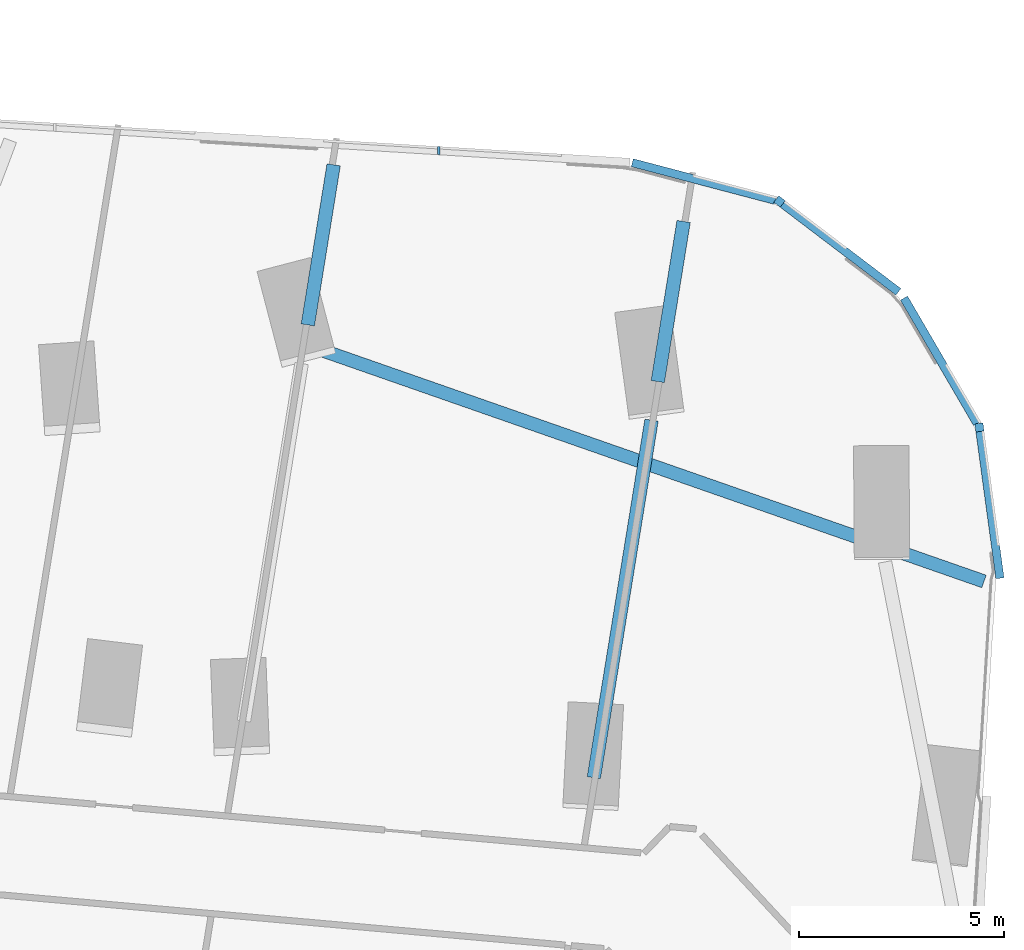
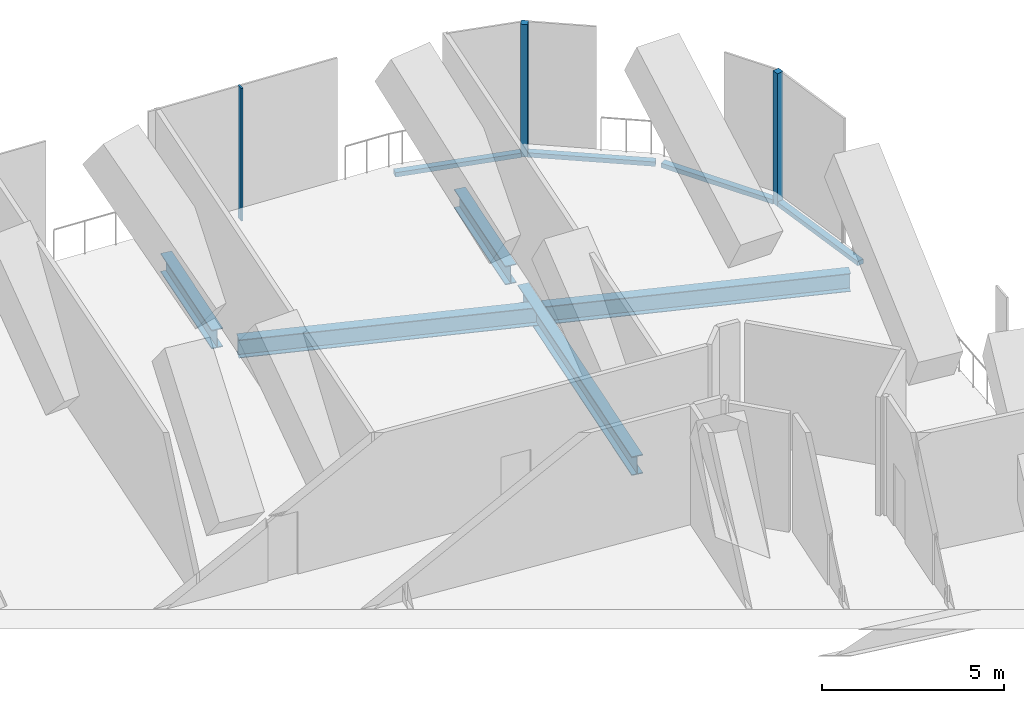
# One storey, part 17 of 39: 7 members, 4 beams, 5 elements without a shape of their own.
"""IFC4 building model written with IfcOpenShell, lengths in metres."""

import ifcopenshell
import ifcopenshell.guid

model = None  # the IFC model being written
_history = None  # IfcOwnerHistory: only IFC2X3 demands one
_inside = {}  # id of a spatial element -> (the spatial element, [elements in it])
_under = {}  # id of a project, library or spatial element -> (it, [spatial elements below it])
_declared = {}  # id of a project -> (the project, [libraries it declares])
_typed = {}  # id of a type object -> (the type object, [elements of that type])
_made_of = {}  # id of a material, layer set ... -> (it, [elements and type objects made of it])


def new_model(schema):
    """Start an empty IFC model of exactly this schema.

    Asked for "IFC4X3", IfcOpenShell would pick the latest addendum, in which some entities
    have other attributes; the version numbers below select the first issue.
    IFC2X3 requires an IfcOwnerHistory on every rooted entity: one is made here for all.
    """
    global model, _history
    if schema == "IFC4X3":
        model = ifcopenshell.file(schema_version=(4, 3, 0, 0))
    else:
        model = ifcopenshell.file(schema=schema)
    _inside.clear()
    _under.clear()
    _declared.clear()
    _typed.clear()
    _made_of.clear()
    _history = None
    if model.schema == "IFC2X3":
        org = make("IfcOrganization", Name="unknown")
        user = make(
            "IfcPersonAndOrganization",
            ThePerson=make("IfcPerson", FamilyName="unknown"),
            TheOrganization=org,
        )
        app = make(
            "IfcApplication",
            ApplicationDeveloper=org,
            Version="unknown",
            ApplicationFullName="unknown",
            ApplicationIdentifier="unknown",
        )
        _history = make(
            "IfcOwnerHistory",
            OwningUser=user,
            OwningApplication=app,
            ChangeAction="ADDED",
            CreationDate=0,
        )
    return model


def make(cls, **values):
    """One entity of the class cls with the attributes given. An attribute that is None is left unset."""
    return model.create_entity(
        cls, **{name: value for name, value in values.items() if value is not None}
    )


def rooted(cls, **values):
    """An entity with a GlobalId (a new one), such as an element, a storey or a relation."""
    return make(cls, GlobalId=ifcopenshell.guid.new(), OwnerHistory=_history, **values)


def si_unit(unit_type, name, prefix=None):
    """IfcSIUnit, for example si_unit("LENGTHUNIT", "METRE", prefix="MILLI")."""
    return make("IfcSIUnit", UnitType=unit_type, Prefix=prefix, Name=name)


def assignment(units):
    """IfcUnitAssignment: the units of a project."""
    return None if units is None else make("IfcUnitAssignment", Units=units)


def point(xyz):
    """IfcCartesianPoint."""
    return None if xyz is None else make("IfcCartesianPoint", Coordinates=xyz)


def direction(xyz):
    """IfcDirection."""
    return None if xyz is None else make("IfcDirection", DirectionRatios=xyz)


def frame(location, z_axis=None, x_axis=None):
    """IfcAxis2Placement3D, a coordinate frame: its origin and axes. An axis left out is left unset."""
    return make(
        "IfcAxis2Placement3D",
        Location=point(location),
        Axis=direction(z_axis),
        RefDirection=direction(x_axis),
    )


def frame_2d(location, x_axis=None):
    """IfcAxis2Placement2D, a coordinate frame in the plane: its origin and x axis."""
    return make(
        "IfcAxis2Placement2D", Location=point(location), RefDirection=direction(x_axis)
    )


def origin():
    """The frame at (0, 0, 0) with its axes left unset."""
    return frame((0.0, 0.0, 0.0))


def origin_2d():
    """The frame at (0, 0) in the plane with its x axis left unset."""
    return frame_2d((0.0, 0.0))


def place(relative_to, where):
    """IfcLocalPlacement: puts the frame where relative to a parent placement (None: the world)."""
    return make(
        "IfcLocalPlacement", PlacementRelTo=relative_to, RelativePlacement=where
    )


def context(
    kind, dimensions, precision=None, world=None, true_north=None, identifier=None
):
    """IfcGeometricRepresentationContext, for example the 3D "Model" context."""
    return make(
        "IfcGeometricRepresentationContext",
        ContextIdentifier=identifier,
        ContextType=kind,
        CoordinateSpaceDimension=dimensions,
        Precision=precision,
        WorldCoordinateSystem=world,
        TrueNorth=true_north,
    )


def subcontext(parent, identifier, kind, view, scale=None):
    """IfcGeometricRepresentationSubContext, for example "Body" below "Model"."""
    return make(
        "IfcGeometricRepresentationSubContext",
        ContextIdentifier=identifier,
        ContextType=kind,
        ParentContext=parent,
        TargetScale=scale,
        TargetView=view,
    )


def project(units=None, contexts=None):
    """IfcProject with its units and contexts."""
    return rooted(
        "IfcProject",
        Name="project",
        RepresentationContexts=contexts,
        UnitsInContext=assignment(units),
    )


def spatial(cls, under=None, at=None, **own):
    """A site, building, storey or space (cls), placed at a placement, below another one or the project."""
    s = rooted(cls, ObjectPlacement=at, **own)
    if under is not None:
        _under.setdefault(under.id(), (under, []))[1].append(s)
    return s


def profile(cls, at=None, kind="AREA", **sizes):
    """A parametric profile (cls). Its sizes go by their IFC names, for example OverallWidth=200.0."""
    return make(cls, ProfileType=kind, Position=at, **sizes)


def rectangle(**sizes):
    """IfcRectangleProfileDef."""
    return profile("IfcRectangleProfileDef", **sizes)


def i_section(**sizes):
    """IfcIShapeProfileDef."""
    return profile("IfcIShapeProfileDef", **sizes)


def extrude(swept, where, along, depth):
    """IfcExtrudedAreaSolid: the profile swept, set in the frame where, extruded along a direction by depth."""
    return make(
        "IfcExtrudedAreaSolid",
        SweptArea=swept,
        Position=where,
        ExtrudedDirection=direction(along),
        Depth=depth,
    )


def shape(context_of_items, identifier, shape_type, items):
    """IfcShapeRepresentation: the items that make up one representation, for example the "Body"."""
    return make(
        "IfcShapeRepresentation",
        ContextOfItems=context_of_items,
        RepresentationIdentifier=identifier,
        RepresentationType=shape_type,
        Items=items,
    )


def material(Name=None, Category=None):
    """IfcMaterial."""
    return make("IfcMaterial", Name=Name, Category=Category)


def material_profile(
    of_material, cross_section, Name=None, Category=None, Priority=None
):
    """IfcMaterialProfile: a cross section and its material."""
    return make(
        "IfcMaterialProfile",
        Name=Name,
        Material=of_material,
        Profile=cross_section,
        Priority=Priority,
        Category=Category,
    )


def profile_set(profiles, Name=None, composite=None):
    """IfcMaterialProfileSet."""
    return make(
        "IfcMaterialProfileSet",
        Name=Name,
        MaterialProfiles=profiles,
        CompositeProfile=composite,
    )


def made_of(thing, what):
    """Note that an element or type object is made of a material, layer set ...; save() writes the relation."""
    if what is not None:
        _made_of.setdefault(what.id(), (what, []))[1].append(thing)
    return thing


def type_object(cls, material=None, **own):
    """A type object (cls), such as IfcWallType, which elements share."""
    return made_of(rooted(cls, **own), material)


def element(
    cls,
    number,
    at=None,
    inside=None,
    cuts=None,
    type_object=None,
    material=None,
    context=None,
    identifier="Body",
    shape_type=None,
    held_by="IfcProductDefinitionShape",
    body=None,
    shapes=None,
    **own,
):
    """One element of the class cls, such as IfcWall. Its Tag is "e" and its number.

    at: its placement. inside: the storey or other place that contains it. cuts: it is an
    opening in that element (IfcRelVoidsElement). A single representation is given by context,
    identifier, shape_type and body (its items); several are given by shapes. held_by: the class
    of the entity that holds the representations. save() writes the other relations.
    """
    e = rooted(cls, Tag="e%d" % number, ObjectPlacement=at, **own)
    if body is not None:
        shapes = [shape(context, identifier, shape_type, body)]
    if shapes is not None:
        e.Representation = make(held_by, Representations=shapes)
    if inside is not None:
        _inside.setdefault(inside.id(), (inside, []))[1].append(e)
    if cuts is not None:
        rooted(
            "IfcRelVoidsElement", RelatingBuildingElement=cuts, RelatedOpeningElement=e
        )
    if type_object is not None:
        _typed.setdefault(type_object.id(), (type_object, []))[1].append(e)
    return made_of(e, material)


def aggregate(whole, parts):
    """IfcRelAggregates: a whole, such as a stair, and the parts it consists of."""
    return rooted("IfcRelAggregates", RelatingObject=whole, RelatedObjects=parts)


def save(model, path):
    """Write the relations noted so far, then the file.

    IfcRelAggregates (storeys below a building ...), IfcRelContainedInSpatialStructure (elements
    in a storey), IfcRelDefinesByType, IfcRelAssociatesMaterial and IfcRelDeclares: one each for
    every whole, place, type object, material and project.
    """
    for whole, parts in _under.values():
        aggregate(whole, parts)
    for where, things in _inside.values():
        rooted(
            "IfcRelContainedInSpatialStructure",
            RelatedElements=things,
            RelatingStructure=where,
        )
    for kind, things in _typed.values():
        rooted("IfcRelDefinesByType", RelatedObjects=things, RelatingType=kind)
    for what, things in _made_of.values():
        rooted("IfcRelAssociatesMaterial", RelatedObjects=things, RelatingMaterial=what)
    for by, libraries in _declared.values():
        rooted("IfcRelDeclares", RelatingContext=by, RelatedDefinitions=libraries)
    model.write(path)


model = new_model("IFC4")

# Units and contexts
model_context = context("Model", 3, precision=1e-05, world=origin(), true_north=direction((0.0, 1.0)))
body_context = subcontext(model_context, "Body", "Model", "MODEL_VIEW")
ifc_project = project(units=[si_unit("LENGTHUNIT", "METRE"), si_unit("AREAUNIT", "SQUARE_METRE"), si_unit("VOLUMEUNIT", "CUBIC_METRE"), si_unit("PLANEANGLEUNIT", "RADIAN"), si_unit("MASSUNIT", "GRAM", prefix="KILO")], contexts=[model_context])

# Site, building, storey
site_placement = place(None, origin())
site = spatial("IfcSite", under=ifc_project, at=site_placement, CompositionType="ELEMENT")
building_placement = place(site_placement, origin())
building = spatial("IfcBuilding", under=site, at=building_placement, Name="Orlundy Tower", CompositionType="ELEMENT")
storey_placement = place(building_placement, frame((0.0, 0.0, 141.199951171875)))
storey = spatial("IfcBuildingStorey", under=building, at=storey_placement, Name="L36", CompositionType="ELEMENT", Elevation=141.199951171875)

# Beams
ifc_material_1 = material(Name="Steel ASTM A992 Gr 50", Category="steel")
ifc_material_profile_1 = material_profile(ifc_material_1, i_section(OverallWidth=0.32373046875, OverallDepth=0.611083984375, WebThickness=0.0126953125, FlangeThickness=0.01904296875, at=origin_2d()), Name="W24X104")
ifc_profile_set_1 = profile_set([ifc_material_profile_1], Name="Steel ASTM A992 Gr 50")
beam_type_1 = type_object("IfcBeamType", Name="CANTILEVER GIRDER beam W24X104", PredefinedType="BEAM", material=ifc_profile_set_1)
beam_1_placement = place(storey_placement, frame((60.736083984375, 6.742919921875, -0.755615234375), z_axis=(-0.944095059136, 0.329673352448, 0.0), x_axis=(-0.329673352448, -0.944095059136, 0.0)))
element("IfcBeam", 1, at=beam_1_placement, inside=storey, type_object=beam_type_1, Name="Cantilever girder C-A5-5 L36", PredefinedType="BEAM", context=body_context, shape_type="SweptSolid", body=[
    extrude(i_section(OverallWidth=0.32373046875, OverallDepth=0.611083984375, WebThickness=0.0126953125, FlangeThickness=0.01904296875, at=origin_2d()), origin(), (0.0, 0.0, 1.0), 17.123779296875),
])
ifc_material_2 = material(Name="Steel ASTM A992 Gr 50", Category="steel")
ifc_material_profile_2 = material_profile(ifc_material_2, i_section(OverallWidth=0.3291015625, OverallDepth=0.635009765625, WebThickness=0.017822265625, FlangeThickness=0.031005859375, at=origin_2d()), Name="W24X162")
ifc_profile_set_2 = profile_set([ifc_material_profile_2], Name="Steel ASTM A992 Gr 50")
beam_type_2 = type_object("IfcBeamType", Name="CANTILEVER GIRDER beam W24X162", PredefinedType="BEAM", material=ifc_profile_set_2)
beam_2_placement = place(storey_placement, frame((44.897216796875, 16.889892578125, -0.767333984375), z_axis=(-0.159345149411, -0.987222934984, 0.0), x_axis=(0.987222934984, -0.159345149411, 0.0)))
element("IfcBeam", 2, at=beam_2_placement, inside=storey, type_object=beam_type_2, Name="Cantilever girder C-A5-2 L36", PredefinedType="BEAM", context=body_context, shape_type="SweptSolid", body=[
    extrude(i_section(OverallWidth=0.3291015625, OverallDepth=0.635009765625, WebThickness=0.017822265625, FlangeThickness=0.031005859375, at=origin_2d()), origin(), (0.0, 0.0, 1.0), 3.949951171875),
])
beam_3_placement = place(storey_placement, frame((53.42041015625, 15.510009765625, -0.767333984375), z_axis=(-0.159335426778, -0.987224504241, 0.0), x_axis=(0.987224504241, -0.159335426778, 0.0)))
element("IfcBeam", 3, at=beam_3_placement, inside=storey, type_object=beam_type_2, Name="Cantilever girder C-A5-3 L36", PredefinedType="BEAM", context=body_context, shape_type="SweptSolid", body=[
    extrude(i_section(OverallWidth=0.3291015625, OverallDepth=0.635009765625, WebThickness=0.017822265625, FlangeThickness=0.031005859375, at=origin_2d()), origin(), (0.0, 0.0, 1.0), 3.9501953125),
])
beam_4_placement = place(storey_placement, frame((52.63916015625, 10.669677734375, -0.767333984375), z_axis=(-0.15936472658, -0.987219774884, 0.0), x_axis=(0.987219774884, -0.15936472658, 0.0)))
element("IfcBeam", 4, at=beam_4_placement, inside=storey, type_object=beam_type_2, Name="Back-span girder C-A5-3 L36", PredefinedType="BEAM", context=body_context, shape_type="SweptSolid", body=[
    extrude(i_section(OverallWidth=0.3291015625, OverallDepth=0.635009765625, WebThickness=0.017822265625, FlangeThickness=0.031005859375, at=origin_2d()), origin(), (0.0, 0.0, 1.0), 8.819580078125),
])

# Curtain wall, member
ifc_material_3 = material(Name="Aluminium bronze anodised", Category="aluminium")
curtain_wall_type = type_object("IfcCurtainWallType", Name="CW4 wall", PredefinedType="NOTDEFINED", material=ifc_material_3)
curtain_wall_1_placement = place(storey_placement, origin())
curtain_wall_1 = element("IfcCurtainWall", 5, at=curtain_wall_1_placement, inside=storey, type_object=curtain_wall_type, Name="CW4 run 031", PredefinedType="NOTDEFINED")
ifc_material_4 = material(Name="Aluminium bronze anodised", Category="aluminium")
ifc_material_profile_3 = material_profile(ifc_material_4, rectangle(XDim=0.199951171875, YDim=0.199951171875, at=origin_2d()), Name="CW4 corner post 200x200")
ifc_profile_set_3 = profile_set([ifc_material_profile_3], Name="Aluminium bronze anodised")
member_type_1 = type_object("IfcMemberType", Name="CW4 corner post 200x200", PredefinedType="MULLION", material=ifc_profile_set_3)
member_1_placement = place(storey_placement, frame((55.754638671875, 15.99658203125, -0.449951171875), z_axis=(0.0, 0.0, 1.0), x_axis=(0.605124308835, 0.796131001065, 0.0)))
member_1 = element("IfcMember", 6, at=member_1_placement, type_object=member_type_1, Name="CW4 mullion 57", PredefinedType="MULLION", context=body_context, shape_type="SweptSolid", body=[
    extrude(rectangle(XDim=0.199951171875, YDim=0.199951171875, at=origin_2d()), origin(), (0.0, 0.0, 1.0), 4.449951171875),
])

curtain_wall_2_placement = place(storey_placement, origin())
curtain_wall_2 = element("IfcCurtainWall", 7, at=curtain_wall_2_placement, inside=storey, type_object=curtain_wall_type, Name="CW4 run 033", PredefinedType="NOTDEFINED")
member_2_placement = place(storey_placement, frame((60.62451171875, 10.4931640625, -0.449951171875), z_axis=(0.0, 0.0, 1.0), x_axis=(0.990861331967, 0.134884472094, 0.0)))
member_2 = element("IfcMember", 8, at=member_2_placement, type_object=member_type_1, Name="CW4 mullion 59", PredefinedType="MULLION", context=body_context, shape_type="SweptSolid", body=[
    extrude(rectangle(XDim=0.199951171875, YDim=0.199951171875, at=origin_2d()), origin(), (0.0, 0.0, 1.0), 4.449951171875),
])

curtain_wall_3_placement = place(storey_placement, origin())
curtain_wall_3 = element("IfcCurtainWall", 9, at=curtain_wall_3_placement, inside=storey, type_object=curtain_wall_type, Name="CW4 run 029", PredefinedType="NOTDEFINED")
ifc_material_5 = material(Name="Aluminium bronze anodised", Category="aluminium")
ifc_material_profile_4 = material_profile(ifc_material_5, rectangle(XDim=0.199951171875, YDim=0.06005859375, at=origin_2d()), Name="CW4 mullion 60x200")
ifc_profile_set_4 = profile_set([ifc_material_profile_4], Name="Aluminium bronze anodised")
member_type_2 = type_object("IfcMemberType", Name="CW4 mullion 60x200", PredefinedType="MULLION", material=ifc_profile_set_4)
member_3_placement = place(storey_placement, frame((47.45654296875, 17.23486328125, -0.449951171875), z_axis=(0.0, 0.0, 1.0), x_axis=(0.061055806908, 0.998134353904, 0.0)))
member_3 = element("IfcMember", 10, at=member_3_placement, type_object=member_type_2, Name="CW4 mullion 55", PredefinedType="MULLION", context=body_context, shape_type="SweptSolid", body=[
    extrude(rectangle(XDim=0.199951171875, YDim=0.06005859375, at=origin_2d()), origin(), (0.0, 0.0, 1.0), 4.449951171875),
])
aggregate(curtain_wall_3, [member_3])

curtain_wall_4_placement = place(storey_placement, origin())
curtain_wall_4 = element("IfcCurtainWall", 11, at=curtain_wall_4_placement, inside=storey, type_object=curtain_wall_type, Name="CW4 run 030", PredefinedType="NOTDEFINED")
ifc_material_6 = material(Name="Aluminium bronze anodised", Category="aluminium")
ifc_material_profile_5 = material_profile(ifc_material_6, rectangle(XDim=0.199951171875, YDim=0.14990234375, at=origin_2d()), Name="CW4 transom 200x150")
ifc_profile_set_5 = profile_set([ifc_material_profile_5], Name="Aluminium bronze anodised")
member_type_3 = type_object("IfcMemberType", Name="CW4 transom 200x150", PredefinedType="USERDEFINED", material=ifc_profile_set_5)
member_4_placement = place(storey_placement, frame((52.171142578125, 16.9404296875, -0.375), z_axis=(0.967024413628, -0.254683692937, 0.0), x_axis=(0.254683692937, 0.967024413628, 0.0)))
member_4 = element("IfcMember", 12, at=member_4_placement, type_object=member_type_3, Name="CW4 transom", ObjectType="TRANSOM", PredefinedType="USERDEFINED", context=body_context, shape_type="SweptSolid", body=[
    extrude(rectangle(XDim=0.199951171875, YDim=0.14990234375, at=origin_2d()), origin(), (0.0, 0.0, 1.0), 3.59765625),
])
aggregate(curtain_wall_4, [member_4])

# Member
member_5_placement = place(storey_placement, frame((55.834228515625, 15.93603515625, -0.375), z_axis=(0.796158205081, -0.605088516238, 0.0), x_axis=(0.605088516238, 0.796158205081, 0.0)))
member_5 = element("IfcMember", 13, at=member_5_placement, type_object=member_type_3, Name="CW4 transom", ObjectType="TRANSOM", PredefinedType="USERDEFINED", context=body_context, shape_type="SweptSolid", body=[
    extrude(rectangle(XDim=0.199951171875, YDim=0.14990234375, at=origin_2d()), origin(), (0.0, 0.0, 1.0), 3.5380859375),
])

aggregate(curtain_wall_1, [member_1, member_5])

# Curtain wall, member
curtain_wall_5_placement = place(storey_placement, origin())
curtain_wall_5 = element("IfcCurtainWall", 14, at=curtain_wall_5_placement, inside=storey, type_object=curtain_wall_type, Name="CW4 run 032", PredefinedType="NOTDEFINED")
member_6_placement = place(storey_placement, frame((58.787841796875, 13.64306640625, -0.375), z_axis=(0.503677937949, -0.863891506396, 0.0), x_axis=(0.863891506396, 0.503677937949, 0.0)))
member_6 = element("IfcMember", 15, at=member_6_placement, type_object=member_type_3, Name="CW4 transom", ObjectType="TRANSOM", PredefinedType="USERDEFINED", context=body_context, shape_type="SweptSolid", body=[
    extrude(rectangle(XDim=0.199951171875, YDim=0.14990234375, at=origin_2d()), origin(), (0.0, 0.0, 1.0), 3.537841796875),
])
aggregate(curtain_wall_5, [member_6])

# Member
member_7_placement = place(storey_placement, frame((60.637939453125, 10.39404296875, -0.375), z_axis=(0.134850380316, -0.990865972233, 0.0), x_axis=(0.990865972233, 0.134850380316, 0.0)))
member_7 = element("IfcMember", 16, at=member_7_placement, type_object=member_type_3, Name="CW4 transom", ObjectType="TRANSOM", PredefinedType="USERDEFINED", context=body_context, shape_type="SweptSolid", body=[
    extrude(rectangle(XDim=0.199951171875, YDim=0.14990234375, at=origin_2d()), origin(), (0.0, 0.0, 1.0), 3.6064453125),
])

aggregate(curtain_wall_2, [member_2, member_7])

save(model, "model.ifc")
